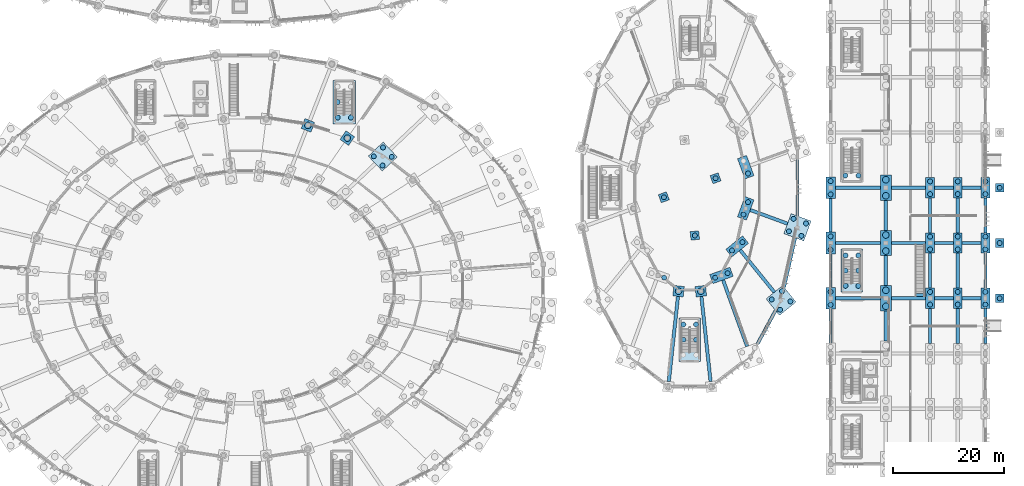
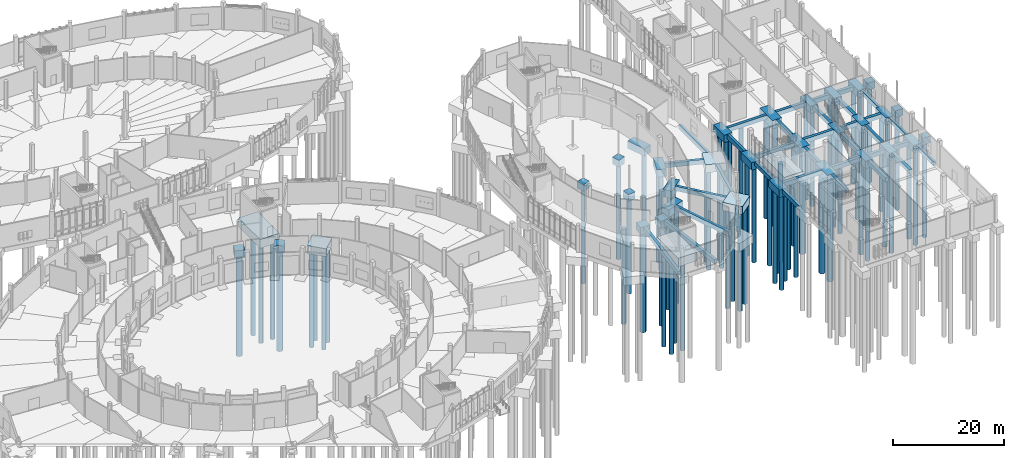
# One storey, part 9 of 140: 75 piles, 71 footings.
"""IFC4 building model written with IfcOpenShell, lengths in metres."""

from ifc_helpers import new_model, si_unit, direction, frame, origin, origin_2d, place, context, subcontext, project, spatial, rectangle, circle, extrude, material, layer, layer_set, material_profile, profile_set, type_object, element, save


model = new_model("IFC4")

# Units and contexts
model_context = context("Model", 3, precision=1e-05, world=origin(), true_north=direction((0.0, 1.0)))
body_context = subcontext(model_context, "Body", "Model", "MODEL_VIEW")
ifc_project = project(units=[si_unit("LENGTHUNIT", "METRE"), si_unit("AREAUNIT", "SQUARE_METRE"), si_unit("VOLUMEUNIT", "CUBIC_METRE"), si_unit("PLANEANGLEUNIT", "RADIAN"), si_unit("MASSUNIT", "GRAM", prefix="KILO")], contexts=[model_context])

# Site, building, storey
site_placement = place(None, origin())
site = spatial("IfcSite", under=ifc_project, at=site_placement, CompositionType="ELEMENT")
building_placement = place(site_placement, origin())
building = spatial("IfcBuilding", under=site, at=building_placement, Name="Corvandel Quay Wholesale Market", CompositionType="ELEMENT")
storey_placement = place(building_placement, origin())
storey = spatial("IfcBuildingStorey", under=building, at=storey_placement, Name="L00", CompositionType="ELEMENT", Elevation=0.0)

# Piles
ifc_material = material(Name="Concrete C40/50", Category="concrete")
ifc_material_profile_1 = material_profile(ifc_material, circle(Radius=0.60009765625, at=origin_2d()), Name="RC-PILE-D1200")
ifc_profile_set_1 = profile_set([ifc_material_profile_1], Name="Concrete C40/50")
pile_type_1 = type_object("IfcPileType", Name="Bored Pile D1200 L22.2", PredefinedType="BORED", material=ifc_profile_set_1)
for number, where, z_axis, x_axis, name in (
    (1, (132.5439453125, 68.98388671875, -1.5), (0.0, 0.0, -1.0), (1.0, 0.0, 0.0), "Bored Pile PIL-0170"),
    (2, (125.419921875, 71.280029296875, -1.5), (0.0, 0.0, -1.0), (1.0, 0.0, 0.0), "Bored Pile PIL-0174"),
    (3, (192.48291015625, 41.280029296875, -1.5), (0.0, 0.0, -1.0), (1.0, 0.0, 0.0), "Bored Pile PIL-0549"),
    (4, (196.51708984375, 41.280029296875, -1.5), (0.0, 0.0, -1.0), (1.0, 0.0, 0.0), "Bored Pile PIL-0551"),
    (5, (230.0, 38.550048828125, -1.75), (0.0, 0.0, -1.0), (1.0, 0.0, 0.0), "Bored Pile PIL-0778"),
    (6, (230.0, 41.449951171875, -1.75), (0.0, 0.0, -1.0), (1.0, 0.0, 0.0), "Bored Pile PIL-0779"),
    (7, (230.0, 48.550048828125, -1.75), (0.0, 0.0, -1.0), (1.0, 0.0, 0.0), "Bored Pile PIL-0780"),
    (8, (230.0, 51.449951171875, -1.75), (0.0, 0.0, -1.0), (1.0, 0.0, 0.0), "Bored Pile PIL-0781"),
    (9, (230.0, 58.550048828125, -1.75), (0.0, 0.0, -1.0), (1.0, 0.0, 0.0), "Bored Pile PIL-0782"),
    (10, (230.0, 61.449951171875, -1.75), (0.0, 0.0, -1.0), (1.0, 0.0, 0.0), "Bored Pile PIL-0783"),
):
    element("IfcPile", number, at=place(storey_placement, frame(where, z_axis=z_axis, x_axis=x_axis)), inside=storey, type_object=pile_type_1, Name=name, PredefinedType="BORED", context=body_context, shape_type="SweptSolid", body=[
        extrude(circle(Radius=0.60009765625, at=origin_2d()), origin(), (0.0, 0.0, 1.0), 22.199951171875),
    ])
ifc_material_profile_2 = material_profile(ifc_material, circle(Radius=0.449951171875, at=origin_2d()), Name="RC-PILE-D900")
ifc_profile_set_2 = profile_set([ifc_material_profile_2], Name="Concrete C40/50")
pile_type_2 = type_object("IfcPileType", Name="Bored Pile D900 L21.0", PredefinedType="BORED", material=ifc_profile_set_2)
for number, where, z_axis, x_axis, name in (
    (11, (140.5830078125, 65.60791015625, -1.64990234375), (0.0, 0.0, -1.0), (1.0, 0.0, 0.0), "Bored Pile PIL-0163"),
    (12, (139.0009765625, 67.278076171875, -1.64990234375), (0.0, 0.0, -1.0), (1.0, 0.0, 0.0), "Bored Pile PIL-0164"),
    (13, (138.9130859375, 64.02587890625, -1.64990234375), (0.0, 0.0, -1.0), (1.0, 0.0, 0.0), "Bored Pile PIL-0165"),
    (14, (137.3310546875, 65.696044921875, -1.64990234375), (0.0, 0.0, -1.0), (1.0, 0.0, 0.0), "Bored Pile PIL-0166"),
    (15, (205.053955078125, 62.597900390625, -1.550048828125), (0.0, 0.0, -1.0), (1.0, 0.0, 0.0), "Bored Pile PIL-0503"),
    (16, (199.179931640625, 61.718994140625, -1.39990234375), (0.0, 0.0, -1.0), (1.0, 0.0, 0.0), "Bored Pile PIL-0505"),
    (17, (189.820068359375, 58.281005859375, -1.39990234375), (0.0, 0.0, -1.0), (1.0, 0.0, 0.0), "Bored Pile PIL-0535"),
    (18, (189.884033203125, 43.721923828125, -1.550048828125), (0.0, 0.0, -1.0), (1.0, 0.0, 0.0), "Bored Pile PIL-0546"),
    (19, (195.430908203125, 51.360107421875, -1.39990234375), (0.0, 0.0, -1.0), (1.0, 0.0, 0.0), "Bored Pile PIL-0552"),
    (20, (199.115966796875, 43.721923828125, -1.550048828125), (0.0, 0.0, -1.0), (1.0, 0.0, 0.0), "Bored Pile PIL-0557"),
    (21, (201.3720703125, 44.5380859375, -1.550048828125), (0.0, 0.0, -1.0), (1.0, 0.0, 0.0), "Bored Pile PIL-0558"),
    (22, (202.1640625, 48.639892578125, -1.550048828125), (0.0, 0.0, -1.0), (1.0, 0.0, 0.0), "Bored Pile PIL-0563"),
    (23, (204.028076171875, 50.152099609375, -1.550048828125), (0.0, 0.0, -1.0), (1.0, 0.0, 0.0), "Bored Pile PIL-0564"),
    (24, (204.22607421875, 55.14990234375, -1.550048828125), (0.0, 0.0, -1.0), (1.0, 0.0, 0.0), "Bored Pile PIL-0569"),
    (25, (205.053955078125, 57.402099609375, -1.550048828125), (0.0, 0.0, -1.0), (1.0, 0.0, 0.0), "Bored Pile PIL-0570"),
    (26, (220.0, 38.800048828125, -1.550048828125), (0.0, 0.0, -1.0), (1.0, 0.0, 0.0), "Bored Pile PIL-0756"),
    (27, (220.0, 41.199951171875, -1.550048828125), (0.0, 0.0, -1.0), (1.0, 0.0, 0.0), "Bored Pile PIL-0757"),
    (28, (220.0, 48.800048828125, -1.550048828125), (0.0, 0.0, -1.0), (1.0, 0.0, 0.0), "Bored Pile PIL-0758"),
    (29, (220.0, 51.199951171875, -1.550048828125), (0.0, 0.0, -1.0), (1.0, 0.0, 0.0), "Bored Pile PIL-0759"),
    (30, (220.0, 58.800048828125, -1.550048828125), (0.0, 0.0, -1.0), (1.0, 0.0, 0.0), "Bored Pile PIL-0760"),
    (31, (220.0, 61.199951171875, -1.550048828125), (0.0, 0.0, -1.0), (1.0, 0.0, 0.0), "Bored Pile PIL-0761"),
    (32, (238.0, 38.85009765625, -1.5), (0.0, 0.0, -1.0), (1.0, 0.0, 0.0), "Bored Pile PIL-0800"),
    (33, (238.0, 41.14990234375, -1.5), (0.0, 0.0, -1.0), (1.0, 0.0, 0.0), "Bored Pile PIL-0801"),
    (34, (238.0, 48.85009765625, -1.5), (0.0, 0.0, -1.0), (1.0, 0.0, 0.0), "Bored Pile PIL-0802"),
    (35, (238.0, 51.14990234375, -1.5), (0.0, 0.0, -1.0), (1.0, 0.0, 0.0), "Bored Pile PIL-0803"),
    (36, (238.0, 58.85009765625, -1.5), (0.0, 0.0, -1.0), (1.0, 0.0, 0.0), "Bored Pile PIL-0804"),
    (37, (238.0, 61.14990234375, -1.5), (0.0, 0.0, -1.0), (1.0, 0.0, 0.0), "Bored Pile PIL-0805"),
    (38, (243.0, 38.85009765625, -1.5), (0.0, 0.0, -1.0), (1.0, 0.0, 0.0), "Bored Pile PIL-0822"),
    (39, (243.0, 41.14990234375, -1.5), (0.0, 0.0, -1.0), (1.0, 0.0, 0.0), "Bored Pile PIL-0823"),
    (40, (243.0, 48.85009765625, -1.5), (0.0, 0.0, -1.0), (1.0, 0.0, 0.0), "Bored Pile PIL-0824"),
    (41, (243.0, 51.14990234375, -1.5), (0.0, 0.0, -1.0), (1.0, 0.0, 0.0), "Bored Pile PIL-0825"),
    (42, (243.0, 58.85009765625, -1.5), (0.0, 0.0, -1.0), (1.0, 0.0, 0.0), "Bored Pile PIL-0826"),
    (43, (243.0, 61.14990234375, -1.5), (0.0, 0.0, -1.0), (1.0, 0.0, 0.0), "Bored Pile PIL-0827"),
    (44, (248.0, 38.85009765625, -1.5), (0.0, 0.0, -1.0), (1.0, 0.0, 0.0), "Bored Pile PIL-0844"),
    (45, (248.0, 41.14990234375, -1.5), (0.0, 0.0, -1.0), (1.0, 0.0, 0.0), "Bored Pile PIL-0845"),
    (46, (248.0, 48.85009765625, -1.5), (0.0, 0.0, -1.0), (1.0, 0.0, 0.0), "Bored Pile PIL-0846"),
    (47, (248.0, 51.14990234375, -1.5), (0.0, 0.0, -1.0), (1.0, 0.0, 0.0), "Bored Pile PIL-0847"),
    (48, (248.0, 58.85009765625, -1.5), (0.0, 0.0, -1.0), (1.0, 0.0, 0.0), "Bored Pile PIL-0848"),
    (49, (248.0, 61.14990234375, -1.5), (0.0, 0.0, -1.0), (1.0, 0.0, 0.0), "Bored Pile PIL-0849"),
    (50, (250.60009765625, 40.0, -1.39990234375), (0.0, 0.0, -1.0), (1.0, 0.0, 0.0), "Bored Pile PIL-0860"),
    (51, (250.60009765625, 50.0, -1.39990234375), (0.0, 0.0, -1.0), (1.0, 0.0, 0.0), "Bored Pile PIL-0861"),
    (52, (250.60009765625, 60.0, -1.39990234375), (0.0, 0.0, -1.0), (1.0, 0.0, 0.0), "Bored Pile PIL-0862"),
):
    element("IfcPile", number, at=place(storey_placement, frame(where, z_axis=z_axis, x_axis=x_axis)), inside=storey, type_object=pile_type_2, Name=name, PredefinedType="BORED", context=body_context, shape_type="SweptSolid", body=[
        extrude(circle(Radius=0.449951171875, at=origin_2d()), origin(), (0.0, 0.0, 1.0), 21.0),
    ])
ifc_material_profile_3 = material_profile(ifc_material, circle(Radius=0.449951171875, at=origin_2d()), Name="RC-PILE-D900")
ifc_profile_set_3 = profile_set([ifc_material_profile_3], Name="Concrete C40/50")
pile_type_3 = type_object("IfcPileType", Name="Bored Pile D900 L21.8", PredefinedType="BORED", material=ifc_profile_set_3)
for number, where, z_axis, x_axis, name in (
    (53, (130.800048828125, 72.699951171875, -1.85009765625), (0.0, 0.0, -1.0), (1.0, 0.0, 0.0), "Bored Pile PIL-0041"),
    (54, (133.199951171875, 72.699951171875, -1.85009765625), (0.0, 0.0, -1.0), (1.0, 0.0, 0.0), "Bored Pile PIL-0042"),
    (55, (130.800048828125, 75.5, -1.85009765625), (0.0, 0.0, -1.0), (1.0, 0.0, 0.0), "Bored Pile PIL-0043"),
    (56, (193.35009765625, 32.5, -1.800048828125), (0.0, 0.0, -1.0), (1.0, 0.0, 0.0), "Bored Pile PIL-0073"),
    (57, (195.64990234375, 32.5, -1.800048828125), (0.0, 0.0, -1.0), (1.0, 0.0, 0.0), "Bored Pile PIL-0074"),
    (58, (193.35009765625, 35.25, -1.800048828125), (0.0, 0.0, -1.0), (1.0, 0.0, 0.0), "Bored Pile PIL-0075"),
    (59, (195.64990234375, 35.25, -1.800048828125), (0.0, 0.0, -1.0), (1.0, 0.0, 0.0), "Bored Pile PIL-0076"),
    (60, (222.699951171875, 42.25, -1.800048828125), (0.0, 0.0, -1.0), (1.0, 0.0, 0.0), "Bored Pile PIL-0101"),
    (61, (225.0, 42.25, -1.800048828125), (0.0, 0.0, -1.0), (1.0, 0.0, 0.0), "Bored Pile PIL-0102"),
    (62, (222.699951171875, 45.0, -1.800048828125), (0.0, 0.0, -1.0), (1.0, 0.0, 0.0), "Bored Pile PIL-0103"),
    (63, (225.0, 45.0, -1.800048828125), (0.0, 0.0, -1.0), (1.0, 0.0, 0.0), "Bored Pile PIL-0104"),
    (64, (222.699951171875, 47.75, -1.800048828125), (0.0, 0.0, -1.0), (1.0, 0.0, 0.0), "Bored Pile PIL-0105"),
    (65, (225.0, 47.75, -1.800048828125), (0.0, 0.0, -1.0), (1.0, 0.0, 0.0), "Bored Pile PIL-0106"),
    (66, (222.64990234375, 62.199951171875, -1.85009765625), (0.0, 0.0, -1.0), (1.0, 0.0, 0.0), "Bored Pile PIL-0107"),
    (67, (225.050048828125, 62.199951171875, -1.85009765625), (0.0, 0.0, -1.0), (1.0, 0.0, 0.0), "Bored Pile PIL-0108"),
    (68, (210.85400390625, 37.919921875, -1.699951171875), (0.0, 0.0, -1.0), (1.0, 0.0, 0.0), "Bored Pile PIL-0559"),
    (69, (212.718994140625, 39.430908203125, -1.699951171875), (0.0, 0.0, -1.0), (1.0, 0.0, 0.0), "Bored Pile PIL-0560"),
    (70, (209.343017578125, 39.784912109375, -1.699951171875), (0.0, 0.0, -1.0), (1.0, 0.0, 0.0), "Bored Pile PIL-0561"),
    (71, (211.2080078125, 41.2958984375, -1.699951171875), (0.0, 0.0, -1.0), (1.0, 0.0, 0.0), "Bored Pile PIL-0562"),
    (72, (214.712890625, 51.299072265625, -1.699951171875), (0.0, 0.0, -1.0), (1.0, 0.0, 0.0), "Bored Pile PIL-0565"),
    (73, (215.5400390625, 53.552001953125, -1.699951171875), (0.0, 0.0, -1.0), (1.0, 0.0, 0.0), "Bored Pile PIL-0566"),
    (74, (212.4599609375, 52.1259765625, -1.699951171875), (0.0, 0.0, -1.0), (1.0, 0.0, 0.0), "Bored Pile PIL-0567"),
    (75, (213.287109375, 54.37890625, -1.699951171875), (0.0, 0.0, -1.0), (1.0, 0.0, 0.0), "Bored Pile PIL-0568"),
):
    element("IfcPile", number, at=place(storey_placement, frame(where, z_axis=z_axis, x_axis=x_axis)), inside=storey, type_object=pile_type_3, Name=name, PredefinedType="BORED", context=body_context, shape_type="SweptSolid", body=[
        extrude(circle(Radius=0.449951171875, at=origin_2d()), origin(), (0.0, 0.0, 1.0), 21.800048828125),
    ])

# Footings
ifc_layer_1 = layer(ifc_material, 0.89990234375)
ifc_layer_set_1 = layer_set([ifc_layer_1], Name="Concrete C40/50")
footing_type_1 = type_object("IfcFootingType", Name="Perimeter Grade Beam GB03 550x900", PredefinedType="FOOTING_BEAM", material=ifc_layer_set_1)
for number, where, z_axis, x_axis, name in (
    (76, (220.0, 35.0, -0.89990234375), (0.0, 0.0, 1.0), (0.0, 1.0, 0.0), "Grade Beam FND-0724"),
    (77, (220.0, 45.0, -0.89990234375), (0.0, 0.0, 1.0), (0.0, 1.0, 0.0), "Grade Beam FND-0725"),
    (78, (220.0, 55.0, -0.89990234375), (0.0, 0.0, 1.0), (0.0, 1.0, 0.0), "Grade Beam FND-0726"),
):
    element("IfcFooting", number, at=place(storey_placement, frame(where, z_axis=z_axis, x_axis=x_axis)), inside=storey, type_object=footing_type_1, Name=name, PredefinedType="FOOTING_BEAM", context=body_context, shape_type="SweptSolid", body=[
        extrude(rectangle(XDim=6.10009765625, YDim=0.550048828125, at=origin_2d()), origin(), (0.0, 0.0, 1.0), 0.89990234375),
    ])
for number, where, z_axis, x_axis, name in (
    (79, (248.0, 35.0, -0.89990234375), (0.0, 0.0, 1.0), (0.0, 1.0, 0.0), "Grade Beam FND-0764"),
    (80, (248.0, 45.0, -0.89990234375), (0.0, 0.0, 1.0), (0.0, 1.0, 0.0), "Grade Beam FND-0765"),
    (81, (248.0, 55.0, -0.89990234375), (0.0, 0.0, 1.0), (0.0, 1.0, 0.0), "Grade Beam FND-0766"),
):
    element("IfcFooting", number, at=place(storey_placement, frame(where, z_axis=z_axis, x_axis=x_axis)), inside=storey, type_object=footing_type_1, Name=name, PredefinedType="FOOTING_BEAM", context=body_context, shape_type="SweptSolid", body=[
        extrude(rectangle(XDim=6.300048828125, YDim=0.550048828125, at=origin_2d()), origin(), (0.0, 0.0, 1.0), 0.89990234375),
    ])
footing_1_placement = place(storey_placement, frame((236.199951171875, 40.60009765625, -0.89990234375), z_axis=(0.0, 0.0, 1.0), x_axis=(1.0, 0.0, 0.0)))
element("IfcFooting", 82, at=footing_1_placement, inside=storey, type_object=footing_type_1, Name="Stair Toe Grade Beam FND-0781", PredefinedType="FOOTING_BEAM", context=body_context, shape_type="SweptSolid", body=[
    extrude(rectangle(XDim=2.050048828125, YDim=0.550048828125, at=origin_2d()), origin(), (0.0, 0.0, 1.0), 0.89990234375),
])
ifc_layer_2 = layer(ifc_material, 1.60009765625)
ifc_layer_set_2 = layer_set([ifc_layer_2], Name="Concrete C40/50")
footing_type_2 = type_object("IfcFootingType", Name="Pile Cap PC01 1600x3700x1600", PredefinedType="PILE_CAP", material=ifc_layer_set_2)
for number, where, z_axis, x_axis, name in (
    (83, (238.0, 40.0, -1.60009765625), (0.0, 0.0, 1.0), (1.0, 0.0, 0.0), "Pile Cap FND-0648"),
    (84, (238.0, 50.0, -1.60009765625), (0.0, 0.0, 1.0), (1.0, 0.0, 0.0), "Pile Cap FND-0649"),
    (85, (238.0, 60.0, -1.60009765625), (0.0, 0.0, 1.0), (1.0, 0.0, 0.0), "Pile Cap FND-0650"),
    (86, (243.0, 40.0, -1.60009765625), (0.0, 0.0, 1.0), (1.0, 0.0, 0.0), "Pile Cap FND-0659"),
    (87, (243.0, 50.0, -1.60009765625), (0.0, 0.0, 1.0), (1.0, 0.0, 0.0), "Pile Cap FND-0660"),
    (88, (243.0, 60.0, -1.60009765625), (0.0, 0.0, 1.0), (1.0, 0.0, 0.0), "Pile Cap FND-0661"),
    (89, (248.0, 40.0, -1.60009765625), (0.0, 0.0, 1.0), (1.0, 0.0, 0.0), "Pile Cap FND-0670"),
    (90, (248.0, 50.0, -1.60009765625), (0.0, 0.0, 1.0), (1.0, 0.0, 0.0), "Pile Cap FND-0671"),
    (91, (248.0, 60.0, -1.60009765625), (0.0, 0.0, 1.0), (1.0, 0.0, 0.0), "Pile Cap FND-0672"),
):
    element("IfcFooting", number, at=place(storey_placement, frame(where, z_axis=z_axis, x_axis=x_axis)), inside=storey, type_object=footing_type_2, Name=name, PredefinedType="PILE_CAP", context=body_context, shape_type="SweptSolid", body=[
        extrude(rectangle(XDim=1.60009765625, YDim=3.699951171875, at=origin_2d()), origin(), (0.0, 0.0, 1.0), 1.60009765625),
    ])
ifc_layer_3 = layer(ifc_material, 1.64990234375)
ifc_layer_set_3 = layer_set([ifc_layer_3], Name="Concrete C40/50")
footing_type_3 = type_object("IfcFootingType", Name="Pile Cap PC03 1750x3900x1650", PredefinedType="PILE_CAP", material=ifc_layer_set_3)
for number, where, z_axis, x_axis, name in (
    (92, (220.0, 40.0, -1.64990234375), (0.0, 0.0, 1.0), (1.0, 0.0, 0.0), "Pile Cap FND-0626"),
    (93, (220.0, 50.0, -1.64990234375), (0.0, 0.0, 1.0), (1.0, 0.0, 0.0), "Pile Cap FND-0627"),
    (94, (220.0, 60.0, -1.64990234375), (0.0, 0.0, 1.0), (1.0, 0.0, 0.0), "Pile Cap FND-0628"),
):
    element("IfcFooting", number, at=place(storey_placement, frame(where, z_axis=z_axis, x_axis=x_axis)), inside=storey, type_object=footing_type_3, Name=name, PredefinedType="PILE_CAP", context=body_context, shape_type="SweptSolid", body=[
        extrude(rectangle(XDim=1.75, YDim=3.89990234375, at=origin_2d()), origin(), (0.0, 0.0, 1.0), 1.64990234375),
    ])
ifc_layer_4 = layer(ifc_material, 1.64990234375)
ifc_layer_set_4 = layer_set([ifc_layer_4], Name="Concrete C40/50")
footing_type_4 = type_object("IfcFootingType", Name="Pile Cap PC04 3900x1750x1650", PredefinedType="PILE_CAP", material=ifc_layer_set_4)
for number, where, z_axis, x_axis, name in (
    (95, (204.639892578125, 63.72412109375, -1.64990234375), (0.0, 0.0, 1.0), (-0.344642923175, 0.938733857654, 0.0), "Pile Cap FND-0336"),
    (96, (200.243896484375, 44.1298828125, -1.64990234375), (0.0, 0.0, 1.0), (0.94028812701, 0.340379550213, 0.0), "Pile Cap FND-0366"),
    (97, (203.095947265625, 49.39599609375, -1.64990234375), (0.0, 0.0, 1.0), (0.776816343556, 0.629727217439, 0.0), "Pile Cap FND-0368"),
    (98, (204.639892578125, 56.27587890625, -1.64990234375), (0.0, 0.0, 1.0), (0.344642923175, 0.938733857654, 0.0), "Pile Cap FND-0370"),
):
    element("IfcFooting", number, at=place(storey_placement, frame(where, z_axis=z_axis, x_axis=x_axis)), inside=storey, type_object=footing_type_4, Name=name, PredefinedType="PILE_CAP", context=body_context, shape_type="SweptSolid", body=[
        extrude(rectangle(XDim=3.89990234375, YDim=1.75, at=origin_2d()), origin(), (0.0, 0.0, 1.0), 1.64990234375),
    ])
ifc_layer_5 = layer(ifc_material, 1.75)
ifc_layer_set_5 = layer_set([ifc_layer_5], Name="Concrete C40/50")
footing_type_5 = type_object("IfcFootingType", Name="Pile Cap PC05 3700x3700x1750", PredefinedType="PILE_CAP", material=ifc_layer_set_5)
footing_2_placement = place(storey_placement, frame((138.95703125, 65.652099609375, -1.75), z_axis=(0.0, 0.0, 1.0), x_axis=(-0.687848001144, 0.725854756355, 0.0)))
element("IfcFooting", 99, at=footing_2_placement, inside=storey, type_object=footing_type_5, Name="Pile Cap FND-0036", PredefinedType="PILE_CAP", context=body_context, shape_type="SweptSolid", body=[
    extrude(rectangle(XDim=3.699951171875, YDim=3.699951171875, at=origin_2d()), origin(), (0.0, 0.0, 1.0), 1.75),
])
ifc_layer_6 = layer(ifc_material, 1.800048828125)
ifc_layer_set_6 = layer_set([ifc_layer_6], Name="Concrete C40/50")
footing_type_6 = type_object("IfcFootingType", Name="Pile Cap PC06 3850x3850x1800", PredefinedType="PILE_CAP", material=ifc_layer_set_6)
for number, where, z_axis, x_axis, name in (
    (100, (211.031005859375, 39.60791015625, -1.7998046875), (0.0, 0.0, 1.0), (0.776816343556, 0.629727217439, 0.0), "Pile Cap FND-0367"),
    (101, (214.0, 52.839111328125, -1.7998046875), (0.0, 0.0, 1.0), (0.344642923175, 0.938733857654, 0.0), "Pile Cap FND-0369"),
):
    element("IfcFooting", number, at=place(storey_placement, frame(where, z_axis=z_axis, x_axis=x_axis)), inside=storey, type_object=footing_type_6, Name=name, PredefinedType="PILE_CAP", context=body_context, shape_type="SweptSolid", body=[
        extrude(rectangle(XDim=3.85009765625, YDim=3.85009765625, at=origin_2d()), origin(), (0.0, 0.0, 1.0), 1.800048828125),
    ])
ifc_layer_7 = layer(ifc_material, 1.85009765625)
ifc_layer_set_7 = layer_set([ifc_layer_7], Name="Concrete C40/50")
footing_type_7 = type_object("IfcFootingType", Name="Pile Cap PC09 2000x4600x1850", PredefinedType="PILE_CAP", material=ifc_layer_set_7)
for number, where, z_axis, x_axis, name in (
    (102, (230.0, 40.0, -1.85009765625), (0.0, 0.0, 1.0), (1.0, 0.0, 0.0), "Pile Cap FND-0637"),
    (103, (230.0, 50.0, -1.85009765625), (0.0, 0.0, 1.0), (1.0, 0.0, 0.0), "Pile Cap FND-0638"),
    (104, (230.0, 60.0, -1.85009765625), (0.0, 0.0, 1.0), (1.0, 0.0, 0.0), "Pile Cap FND-0639"),
):
    element("IfcFooting", number, at=place(storey_placement, frame(where, z_axis=z_axis, x_axis=x_axis)), inside=storey, type_object=footing_type_7, Name=name, PredefinedType="PILE_CAP", context=body_context, shape_type="SweptSolid", body=[
        extrude(rectangle(XDim=2.0, YDim=4.60009765625, at=origin_2d()), origin(), (0.0, 0.0, 1.0), 1.85009765625),
    ])
ifc_layer_8 = layer(ifc_material, 1.5)
ifc_layer_set_8 = layer_set([ifc_layer_8], Name="Concrete C40/50")
footing_type_8 = type_object("IfcFootingType", Name="Pile Cap PC15 1550x1550x1500", PredefinedType="PILE_CAP", material=ifc_layer_set_8)
for number, where, z_axis, x_axis, name in (
    (105, (199.179931640625, 61.718994140625, -1.5), (0.0, 0.0, 1.0), (-0.344642923175, 0.938733857654, 0.0), "Pile Cap FND-0337"),
    (106, (189.820068359375, 58.281005859375, -1.5), (0.0, 0.0, 1.0), (-0.344642923175, 0.938733857654, 0.0), "Pile Cap FND-0355"),
    (107, (195.430908203125, 51.360107421875, -1.5), (0.0, 0.0, 1.0), (0.994244832633, 0.107131754314, 0.0), "Pile Cap FND-0364"),
    (108, (250.60009765625, 40.0, -1.5), (0.0, 0.0, 1.0), (1.0, 0.0, 0.0), "Pile Cap FND-0772"),
    (109, (250.60009765625, 50.0, -1.5), (0.0, 0.0, 1.0), (1.0, 0.0, 0.0), "Pile Cap FND-0773"),
    (110, (250.60009765625, 60.0, -1.5), (0.0, 0.0, 1.0), (1.0, 0.0, 0.0), "Pile Cap FND-0774"),
):
    element("IfcFooting", number, at=place(storey_placement, frame(where, z_axis=z_axis, x_axis=x_axis)), inside=storey, type_object=footing_type_8, Name=name, PredefinedType="PILE_CAP", context=body_context, shape_type="SweptSolid", body=[
        extrude(rectangle(XDim=1.550048828125, YDim=1.550048828125, at=origin_2d()), origin(), (0.0, 0.0, 1.0), 1.5),
    ])
ifc_layer_9 = layer(ifc_material, 1.60009765625)
ifc_layer_set_9 = layer_set([ifc_layer_9], Name="Concrete C40/50")
footing_type_9 = type_object("IfcFootingType", Name="Pile Cap PC16 1900x1900x1600", PredefinedType="PILE_CAP", material=ifc_layer_set_9)
for number, where, z_axis, x_axis, name in (
    (111, (132.5439453125, 68.98388671875, -1.60009765625), (0.0, 0.0, 1.0), (-0.824126188622, 0.566406236925, 0.0), "Pile Cap FND-0039"),
    (112, (125.419921875, 71.280029296875, -1.60009765625), (0.0, 0.0, 1.0), (-0.931627814096, 0.363413835735, 0.0), "Pile Cap FND-0042"),
    (113, (192.48291015625, 41.280029296875, -1.60009765625), (0.0, 0.0, 1.0), (-0.994244832633, 0.107131754314, 0.0), "Pile Cap FND-0361"),
    (114, (196.51708984375, 41.280029296875, -1.60009765625), (0.0, 0.0, 1.0), (0.994244832633, 0.107131754314, 0.0), "Pile Cap FND-0363"),
):
    element("IfcFooting", number, at=place(storey_placement, frame(where, z_axis=z_axis, x_axis=x_axis)), inside=storey, type_object=footing_type_9, Name=name, PredefinedType="PILE_CAP", context=body_context, shape_type="SweptSolid", body=[
        extrude(rectangle(XDim=1.89990234375, YDim=1.89990234375, at=origin_2d()), origin(), (0.0, 0.0, 1.0), 1.60009765625),
    ])
ifc_layer_10 = layer(ifc_material, 0.949951171875)
ifc_layer_set_10 = layer_set([ifc_layer_10], Name="Concrete C40/50")
footing_type_10 = type_object("IfcFootingType", Name="Seismic Tie Beam GB01 600x950", PredefinedType="FOOTING_BEAM", material=ifc_layer_set_10)
for number, where, z_axis, x_axis, name in (
    (115, (191.552001953125, 32.639892578125, -0.9501953125), (0.0, 0.0, 1.0), (0.107131754314, 0.994244832633, 0.0), "Grade Beam FND-0394"),
    (116, (197.447998046875, 32.639892578125, -0.9501953125), (0.0, 0.0, 1.0), (-0.107131754314, 0.994244832633, 0.0), "Grade Beam FND-0396"),
):
    element("IfcFooting", number, at=place(storey_placement, frame(where, z_axis=z_axis, x_axis=x_axis)), inside=storey, type_object=footing_type_10, Name=name, PredefinedType="FOOTING_BEAM", context=body_context, shape_type="SweptSolid", body=[
        extrude(rectangle(XDim=15.47998046875, YDim=0.60009765625, at=origin_2d()), origin(), (0.0, 0.0, 1.0), 0.949951171875),
    ])
footing_3_placement = place(storey_placement, frame((208.406005859375, 34.760986328125, -0.9501953125), z_axis=(0.0, 0.0, 1.0), x_axis=(0.476238203668, 0.879316310191, 0.0)))
element("IfcFooting", 117, at=footing_3_placement, inside=storey, type_object=footing_type_10, Name="Grade Beam FND-0397", PredefinedType="FOOTING_BEAM", context=body_context, shape_type="SweptSolid", body=[
    extrude(rectangle(XDim=6.85595703125, YDim=0.60009765625, at=origin_2d()), origin(), (0.0, 0.0, 1.0), 0.949951171875),
])
footing_4_placement = place(storey_placement, frame((202.716064453125, 37.299072265625, -0.9501953125), z_axis=(0.0, 0.0, 1.0), x_axis=(-0.340379550213, 0.94028812701, 0.0)))
element("IfcFooting", 118, at=footing_4_placement, inside=storey, type_object=footing_type_10, Name="Grade Beam FND-0398", PredefinedType="FOOTING_BEAM", context=body_context, shape_type="SweptSolid", body=[
    extrude(rectangle(XDim=12.779052734375, YDim=0.60009765625, at=origin_2d()), origin(), (0.0, 0.0, 1.0), 0.949951171875),
])
footing_5_placement = place(storey_placement, frame((212.572021484375, 46.472900390625, -0.9501953125), z_axis=(0.0, 0.0, 1.0), x_axis=(0.218994806262, 0.975726024471, 0.0)))
element("IfcFooting", 119, at=footing_5_placement, inside=storey, type_object=footing_type_10, Name="Grade Beam FND-0399", PredefinedType="FOOTING_BEAM", context=body_context, shape_type="SweptSolid", body=[
    extrude(rectangle(XDim=9.1650390625, YDim=0.60009765625, at=origin_2d()), origin(), (0.0, 0.0, 1.0), 0.949951171875),
])
footing_6_placement = place(storey_placement, frame((206.73291015625, 44.909912109375, -0.9501953125), z_axis=(0.0, 0.0, 1.0), x_axis=(-0.629727217439, 0.776816343556, 0.0)))
element("IfcFooting", 120, at=footing_6_placement, inside=storey, type_object=footing_type_10, Name="Grade Beam FND-0400", PredefinedType="FOOTING_BEAM", context=body_context, shape_type="SweptSolid", body=[
    extrude(rectangle(XDim=9.800048828125, YDim=0.60009765625, at=origin_2d()), origin(), (0.0, 0.0, 1.0), 0.949951171875),
])
footing_7_placement = place(storey_placement, frame((214.0, 60.0, -0.9501953125), z_axis=(0.0, 0.0, 1.0), x_axis=(0.0, 1.0, 0.0)))
element("IfcFooting", 121, at=footing_7_placement, inside=storey, type_object=footing_type_10, Name="Grade Beam FND-0401", PredefinedType="FOOTING_BEAM", context=body_context, shape_type="SweptSolid", body=[
    extrude(rectangle(XDim=10.220947265625, YDim=0.60009765625, at=origin_2d()), origin(), (0.0, 0.0, 1.0), 0.949951171875),
])
footing_8_placement = place(storey_placement, frame((208.826904296875, 54.738037109375, -0.9501953125), z_axis=(0.0, 0.0, 1.0), x_axis=(-0.938733857654, 0.344642923175, 0.0)))
element("IfcFooting", 122, at=footing_8_placement, inside=storey, type_object=footing_type_10, Name="Grade Beam FND-0402", PredefinedType="FOOTING_BEAM", context=body_context, shape_type="SweptSolid", body=[
    extrude(rectangle(XDim=7.1708984375, YDim=0.60009765625, at=origin_2d()), origin(), (0.0, 0.0, 1.0), 0.949951171875),
])
footing_9_placement = place(storey_placement, frame((224.93798828125, 40.0, -0.9501953125), z_axis=(0.0, 0.0, 1.0), x_axis=(1.0, 0.0, 0.0)))
element("IfcFooting", 123, at=footing_9_placement, inside=storey, type_object=footing_type_10, Name="Grade Beam FND-0690", PredefinedType="FOOTING_BEAM", context=body_context, shape_type="SweptSolid", body=[
    extrude(rectangle(XDim=8.125, YDim=0.60009765625, at=origin_2d()), origin(), (0.0, 0.0, 1.0), 0.949951171875),
])
footing_10_placement = place(storey_placement, frame((234.10009765625, 40.0, -0.9501953125), z_axis=(0.0, 0.0, 1.0), x_axis=(1.0, 0.0, 0.0)))
element("IfcFooting", 124, at=footing_10_placement, inside=storey, type_object=footing_type_10, Name="Grade Beam FND-0691", PredefinedType="FOOTING_BEAM", context=body_context, shape_type="SweptSolid", body=[
    extrude(rectangle(XDim=6.199951171875, YDim=0.60009765625, at=origin_2d()), origin(), (0.0, 0.0, 1.0), 0.949951171875),
])
for number, where, z_axis, x_axis, name in (
    (125, (240.5, 40.0, -0.9501953125), (0.0, 0.0, 1.0), (1.0, 0.0, 0.0), "Grade Beam FND-0692"),
    (126, (245.5, 40.0, -0.9501953125), (0.0, 0.0, 1.0), (1.0, 0.0, 0.0), "Grade Beam FND-0693"),
):
    element("IfcFooting", number, at=place(storey_placement, frame(where, z_axis=z_axis, x_axis=x_axis)), inside=storey, type_object=footing_type_10, Name=name, PredefinedType="FOOTING_BEAM", context=body_context, shape_type="SweptSolid", body=[
        extrude(rectangle(XDim=3.39990234375, YDim=0.60009765625, at=origin_2d()), origin(), (0.0, 0.0, 1.0), 0.949951171875),
    ])
footing_11_placement = place(storey_placement, frame((224.93798828125, 50.0, -0.9501953125), z_axis=(0.0, 0.0, 1.0), x_axis=(1.0, 0.0, 0.0)))
element("IfcFooting", 127, at=footing_11_placement, inside=storey, type_object=footing_type_10, Name="Grade Beam FND-0694", PredefinedType="FOOTING_BEAM", context=body_context, shape_type="SweptSolid", body=[
    extrude(rectangle(XDim=8.125, YDim=0.60009765625, at=origin_2d()), origin(), (0.0, 0.0, 1.0), 0.949951171875),
])
footing_12_placement = place(storey_placement, frame((234.10009765625, 50.0, -0.9501953125), z_axis=(0.0, 0.0, 1.0), x_axis=(1.0, 0.0, 0.0)))
element("IfcFooting", 128, at=footing_12_placement, inside=storey, type_object=footing_type_10, Name="Grade Beam FND-0695", PredefinedType="FOOTING_BEAM", context=body_context, shape_type="SweptSolid", body=[
    extrude(rectangle(XDim=6.199951171875, YDim=0.60009765625, at=origin_2d()), origin(), (0.0, 0.0, 1.0), 0.949951171875),
])
for number, where, z_axis, x_axis, name in (
    (129, (240.5, 50.0, -0.9501953125), (0.0, 0.0, 1.0), (1.0, 0.0, 0.0), "Grade Beam FND-0696"),
    (130, (245.5, 50.0, -0.9501953125), (0.0, 0.0, 1.0), (1.0, 0.0, 0.0), "Grade Beam FND-0697"),
):
    element("IfcFooting", number, at=place(storey_placement, frame(where, z_axis=z_axis, x_axis=x_axis)), inside=storey, type_object=footing_type_10, Name=name, PredefinedType="FOOTING_BEAM", context=body_context, shape_type="SweptSolid", body=[
        extrude(rectangle(XDim=3.39990234375, YDim=0.60009765625, at=origin_2d()), origin(), (0.0, 0.0, 1.0), 0.949951171875),
    ])
footing_13_placement = place(storey_placement, frame((224.93798828125, 60.0, -0.9501953125), z_axis=(0.0, 0.0, 1.0), x_axis=(1.0, 0.0, 0.0)))
element("IfcFooting", 131, at=footing_13_placement, inside=storey, type_object=footing_type_10, Name="Grade Beam FND-0698", PredefinedType="FOOTING_BEAM", context=body_context, shape_type="SweptSolid", body=[
    extrude(rectangle(XDim=8.125, YDim=0.60009765625, at=origin_2d()), origin(), (0.0, 0.0, 1.0), 0.949951171875),
])
footing_14_placement = place(storey_placement, frame((234.10009765625, 60.0, -0.9501953125), z_axis=(0.0, 0.0, 1.0), x_axis=(1.0, 0.0, 0.0)))
element("IfcFooting", 132, at=footing_14_placement, inside=storey, type_object=footing_type_10, Name="Grade Beam FND-0699", PredefinedType="FOOTING_BEAM", context=body_context, shape_type="SweptSolid", body=[
    extrude(rectangle(XDim=6.199951171875, YDim=0.60009765625, at=origin_2d()), origin(), (0.0, 0.0, 1.0), 0.949951171875),
])
for number, where, z_axis, x_axis, name in (
    (133, (240.5, 60.0, -0.9501953125), (0.0, 0.0, 1.0), (1.0, 0.0, 0.0), "Grade Beam FND-0700"),
    (134, (245.5, 60.0, -0.9501953125), (0.0, 0.0, 1.0), (1.0, 0.0, 0.0), "Grade Beam FND-0701"),
):
    element("IfcFooting", number, at=place(storey_placement, frame(where, z_axis=z_axis, x_axis=x_axis)), inside=storey, type_object=footing_type_10, Name=name, PredefinedType="FOOTING_BEAM", context=body_context, shape_type="SweptSolid", body=[
        extrude(rectangle(XDim=3.39990234375, YDim=0.60009765625, at=origin_2d()), origin(), (0.0, 0.0, 1.0), 0.949951171875),
    ])
for number, where, z_axis, x_axis, name in (
    (135, (230.0, 35.0, -0.9501953125), (0.0, 0.0, 1.0), (0.0, 1.0, 0.0), "Grade Beam FND-0734"),
    (136, (230.0, 45.0, -0.9501953125), (0.0, 0.0, 1.0), (0.0, 1.0, 0.0), "Grade Beam FND-0735"),
    (137, (230.0, 55.0, -0.9501953125), (0.0, 0.0, 1.0), (0.0, 1.0, 0.0), "Grade Beam FND-0736"),
):
    element("IfcFooting", number, at=place(storey_placement, frame(where, z_axis=z_axis, x_axis=x_axis)), inside=storey, type_object=footing_type_10, Name=name, PredefinedType="FOOTING_BEAM", context=body_context, shape_type="SweptSolid", body=[
        extrude(rectangle(XDim=5.39990234375, YDim=0.60009765625, at=origin_2d()), origin(), (0.0, 0.0, 1.0), 0.949951171875),
    ])
for number, where, z_axis, x_axis, name in (
    (138, (238.0, 35.0, -0.9501953125), (0.0, 0.0, 1.0), (0.0, 1.0, 0.0), "Grade Beam FND-0744"),
    (139, (238.0, 45.0, -0.9501953125), (0.0, 0.0, 1.0), (0.0, 1.0, 0.0), "Grade Beam FND-0745"),
    (140, (238.0, 55.0, -0.9501953125), (0.0, 0.0, 1.0), (0.0, 1.0, 0.0), "Grade Beam FND-0746"),
    (141, (243.0, 35.0, -0.9501953125), (0.0, 0.0, 1.0), (0.0, 1.0, 0.0), "Grade Beam FND-0754"),
    (142, (243.0, 45.0, -0.9501953125), (0.0, 0.0, 1.0), (0.0, 1.0, 0.0), "Grade Beam FND-0755"),
    (143, (243.0, 55.0, -0.9501953125), (0.0, 0.0, 1.0), (0.0, 1.0, 0.0), "Grade Beam FND-0756"),
):
    element("IfcFooting", number, at=place(storey_placement, frame(where, z_axis=z_axis, x_axis=x_axis)), inside=storey, type_object=footing_type_10, Name=name, PredefinedType="FOOTING_BEAM", context=body_context, shape_type="SweptSolid", body=[
        extrude(rectangle(XDim=6.300048828125, YDim=0.60009765625, at=origin_2d()), origin(), (0.0, 0.0, 1.0), 0.949951171875),
    ])
ifc_layer_11 = layer(ifc_material, 1.89990234375)
ifc_layer_set_11 = layer_set([ifc_layer_11], Name="Concrete C40/50")
footing_type_11 = type_object("IfcFootingType", Name="Shaft Pile Cap PC13 3900x7800x1900", PredefinedType="PILE_CAP", material=ifc_layer_set_11)
for number, where, z_axis, x_axis, name in (
    (144, (194.5, 32.5, -1.89990234375), (0.0, 0.0, 1.0), (1.0, 0.0, 0.0), "Pile Cap FND-0014"),
    (145, (223.85009765625, 45.0, -1.89990234375), (0.0, 0.0, 1.0), (1.0, 0.0, 0.0), "Pile Cap FND-0019"),
):
    element("IfcFooting", number, at=place(storey_placement, frame(where, z_axis=z_axis, x_axis=x_axis)), inside=storey, type_object=footing_type_11, Name=name, PredefinedType="PILE_CAP", context=body_context, shape_type="SweptSolid", body=[
        extrude(rectangle(XDim=3.89990234375, YDim=7.800048828125, at=origin_2d()), origin(), (0.0, 0.0, 1.0), 1.89990234375),
    ])
ifc_layer_12 = layer(ifc_material, 1.949951171875)
ifc_layer_set_12 = layer_set([ifc_layer_12], Name="Concrete C40/50")
footing_type_12 = type_object("IfcFootingType", Name="Shaft Pile Cap PC14 4050x7900x1950", PredefinedType="PILE_CAP", material=ifc_layer_set_12)
footing_15_placement = place(storey_placement, frame((132.0, 75.5, -1.9501953125), z_axis=(0.0, 0.0, 1.0), x_axis=(1.0, 0.0, 0.0)))
element("IfcFooting", 146, at=footing_15_placement, inside=storey, type_object=footing_type_12, Name="Pile Cap FND-0009", PredefinedType="PILE_CAP", context=body_context, shape_type="SweptSolid", body=[
    extrude(rectangle(XDim=4.050048828125, YDim=7.89990234375, at=origin_2d()), origin(), (0.0, 0.0, 1.0), 1.949951171875),
])

save(model, "model.ifc")
